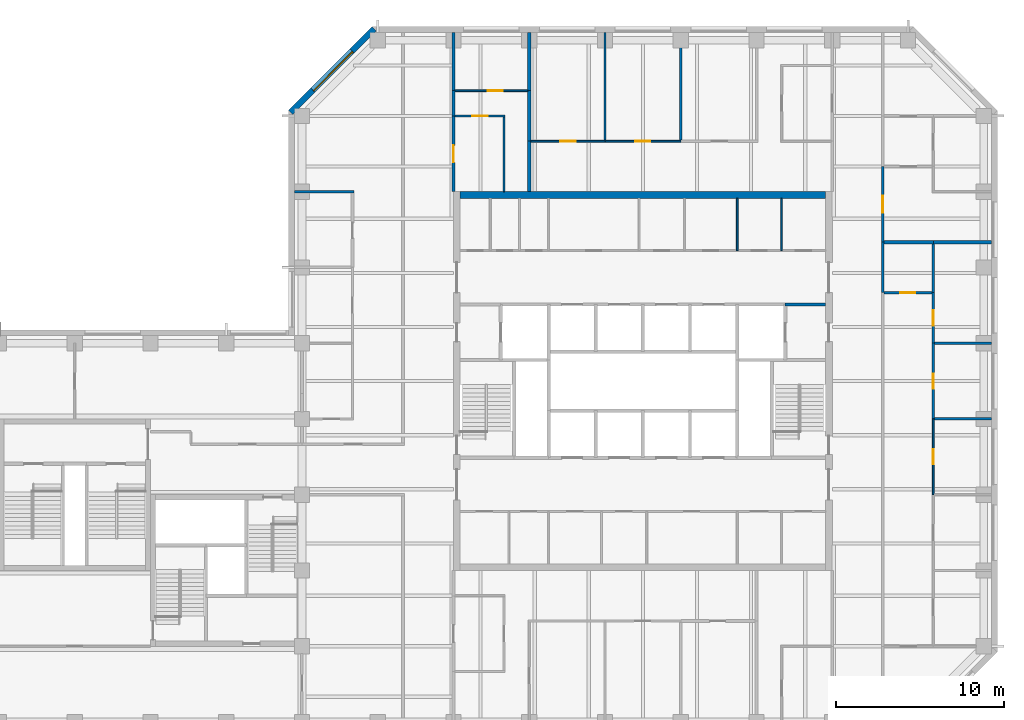
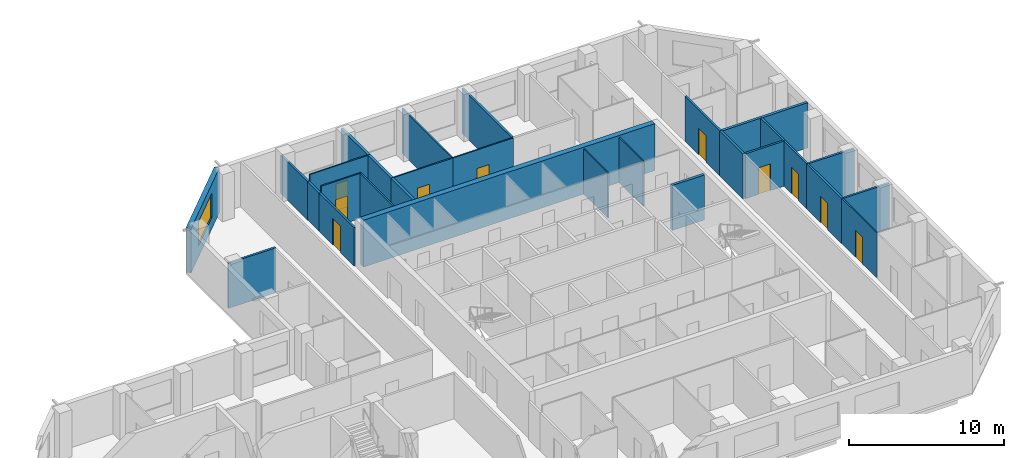
# One storey, part 7 of 10: 30 walls, 10 doors, 1 window, 11 openings.
"""IFC4 building model written with IfcOpenShell, lengths in metres."""

from ifc_helpers import new_model, si_unit, direction, frame, frame_2d, origin, place, context, subcontext, project, spatial, rectangle, extrude, material, layer, layer_set, constituent, constituent_set, type_object, element, fill, save


model = new_model("IFC4")

# Units and contexts
model_context = context("Model", 3, precision=1e-05, world=origin(), true_north=direction((0.0, 1.0)))
body_context = subcontext(model_context, "Body", "Model", "MODEL_VIEW")
ifc_project = project(units=[si_unit("LENGTHUNIT", "METRE"), si_unit("AREAUNIT", "SQUARE_METRE"), si_unit("VOLUMEUNIT", "CUBIC_METRE"), si_unit("PLANEANGLEUNIT", "RADIAN"), si_unit("MASSUNIT", "GRAM", prefix="KILO")], contexts=[model_context])

# Site, building, storey
site_placement = place(None, origin())
site = spatial("IfcSite", under=ifc_project, at=site_placement, CompositionType="ELEMENT")
building_placement = place(site_placement, origin())
building = spatial("IfcBuilding", under=site, at=building_placement, Name="Quoin Convention Tower", CompositionType="ELEMENT")
storey_placement = place(building_placement, frame((0.0, 0.0, 184.699951171875)))
storey = spatial("IfcBuildingStorey", under=building, at=storey_placement, Name="L48", CompositionType="ELEMENT", Elevation=184.699951171875)

# Walls
ifc_material_1 = material(Name="Plasterboard")
ifc_layer_1 = layer(ifc_material_1, 0.012451171875, Name="Finish")
ifc_material_2 = material(Name="Steel stud framing", Category="steel")
ifc_layer_2 = layer(ifc_material_2, 0.125, Name="Structure")
ifc_layer_3 = layer(ifc_material_1, 0.012451171875, Name="Finish")
ifc_layer_set_1 = layer_set([ifc_layer_1, ifc_layer_2, ifc_layer_3], Name="Steel stud framing")
wall_type_1 = type_object("IfcWallType", Name="Acoustic partition 150", PredefinedType="PARTITIONING", material=ifc_layer_set_1)
for number, where, z_axis, x_axis, name in (
    (1, (73.574951171875, 58.5, 0.0), (0.0, 0.0, 1.0), (1.0, 0.0, 0.0), "pw-L48-022"),
    (2, (73.574951171875, 63.0, 0.0), (0.0, 0.0, 1.0), (1.0, 0.0, 0.0), "pw-L48-027"),
):
    element("IfcWall", number, at=place(storey_placement, frame(where, z_axis=z_axis, x_axis=x_axis)), inside=storey, type_object=wall_type_1, Name=name, PredefinedType="PARTITIONING", context=body_context, shape_type="SweptSolid", body=[
        extrude(rectangle(XDim=3.375, YDim=0.14990234375, at=frame_2d((1.6875, 0.0))), origin(), (0.0, 0.0, 1.0), 3.550048828125),
    ])
wall_1_placement = place(storey_placement, frame((35.550048828125, 72.0, 0.0), z_axis=(0.0, 0.0, 1.0), x_axis=(1.0, 0.0, 0.0)))
element("IfcWall", 3, at=wall_1_placement, inside=storey, type_object=wall_type_1, Name="pw-L48-032", PredefinedType="PARTITIONING", context=body_context, shape_type="SweptSolid", body=[
    extrude(rectangle(XDim=3.52490234375, YDim=0.14990234375, at=frame_2d((1.762451171875, 0.0))), origin(), (0.0, 0.0, 1.0), 3.550048828125),
])

# Wall, opening, door
wall_2_placement = place(storey_placement, frame((73.5, 58.5, 0.0), z_axis=(0.0, 0.0, 1.0), x_axis=(0.0, 1.0, 0.0)))
wall_2 = element("IfcWall", 4, at=wall_2_placement, inside=storey, type_object=wall_type_1, Name="pw-L48-074", PredefinedType="PARTITIONING", context=body_context, shape_type="SweptSolid", body=[
    extrude(rectangle(XDim=4.5, YDim=0.14990234375, at=frame_2d((2.25, 0.0))), origin(), (0.0, 0.0, 1.0), 3.550048828125),
])
opening_1_placement = place(wall_2_placement, frame((1.800048828125, 0.0, 0.0)))
opening_1 = element("IfcOpeningElement", 5, at=opening_1_placement, cuts=wall_2, Name="Opening DOH6-25", PredefinedType="OPENING", context=body_context, shape_type="SweptSolid", body=[
    extrude(rectangle(XDim=0.89990234375, YDim=2.10009765625, at=frame_2d((0.449951171875, 1.050048828125))), frame((0.0, 0.0849609375, 0.0), z_axis=(0.0, -1.0, 0.0), x_axis=(1.0, 0.0, 0.0)), (0.0, 0.0, 1.0), 0.169921875),
])
ifc_material_3 = material(Name="Steel door leaf", Category="steel")
door_type_1 = type_object("IfcDoorType", Name="Office door 900 x 2100", OperationType="SINGLE_SWING_RIGHT", PredefinedType="DOOR", material=ifc_material_3)
door_1_placement = place(opening_1_placement, origin())
door_1 = element("IfcDoor", 6, at=door_1_placement, inside=storey, type_object=door_type_1, Name="dr-L48-37", OperationType="SINGLE_SWING_RIGHT", OverallHeight=2.10009765625, OverallWidth=0.89990234375, PredefinedType="DOOR", context=body_context, shape_type="SweptSolid", body=[
    extrude(rectangle(XDim=0.89990234375, YDim=2.10009765625, at=frame_2d((0.449951171875, 1.050048828125))), frame((0.0, 0.02490234375, 0.0), z_axis=(0.0, -1.0, 0.0), x_axis=(1.0, 0.0, 0.0)), (0.0, 0.0, 1.0), 0.050048828125),
])
fill(opening_1, door_1)

wall_3_placement = place(storey_placement, frame((73.5, 63.0, 0.0), z_axis=(0.0, 0.0, 1.0), x_axis=(0.0, 1.0, 0.0)))
wall_3 = element("IfcWall", 7, at=wall_3_placement, inside=storey, type_object=wall_type_1, Name="pw-L48-083", PredefinedType="PARTITIONING", context=body_context, shape_type="SweptSolid", body=[
    extrude(rectangle(XDim=3.0, YDim=0.14990234375, at=frame_2d((1.5, 0.0))), origin(), (0.0, 0.0, 1.0), 3.550048828125),
])
opening_2_placement = place(wall_3_placement, frame((1.050048828125, 0.0, 0.0)))
opening_2 = element("IfcOpeningElement", 8, at=opening_2_placement, cuts=wall_3, Name="Opening DOH6-27", PredefinedType="OPENING", context=body_context, shape_type="SweptSolid", body=[
    extrude(rectangle(XDim=0.89990234375, YDim=2.10009765625, at=frame_2d((0.449951171875, 1.050048828125))), frame((0.0, 0.0849609375, 0.0), z_axis=(0.0, -1.0, 0.0), x_axis=(1.0, 0.0, 0.0)), (0.0, 0.0, 1.0), 0.169921875),
])
door_2_placement = place(opening_2_placement, origin())
door_2 = element("IfcDoor", 9, at=door_2_placement, inside=storey, type_object=door_type_1, Name="dr-L48-38", OperationType="SINGLE_SWING_RIGHT", OverallHeight=2.10009765625, OverallWidth=0.89990234375, PredefinedType="DOOR", context=body_context, shape_type="SweptSolid", body=[
    extrude(rectangle(XDim=0.89990234375, YDim=2.10009765625, at=frame_2d((0.449951171875, 1.050048828125))), frame((0.0, 0.02490234375, 0.0), z_axis=(0.0, -1.0, 0.0), x_axis=(1.0, 0.0, 0.0)), (0.0, 0.0, 1.0), 0.050048828125),
])
fill(opening_2, door_2)

# Wall
wall_4_placement = place(storey_placement, frame((58.5, 75.074951171875, 0.0), z_axis=(0.0, 0.0, 1.0), x_axis=(0.0, 1.0, 0.0)))
element("IfcWall", 10, at=wall_4_placement, inside=storey, type_object=wall_type_1, Name="pw-L48-099", PredefinedType="PARTITIONING", context=body_context, shape_type="SweptSolid", body=[
    extrude(rectangle(XDim=6.375, YDim=0.14990234375, at=frame_2d((3.1875, 0.0))), origin(), (0.0, 0.0, 1.0), 3.550048828125),
])

# Wall, opening, window
ifc_material_4 = material(Name="Brick masonry", Category="masonry")
ifc_layer_4 = layer(ifc_material_4, 0.35009765625)
ifc_layer_set_2 = layer_set([ifc_layer_4], Name="Brick masonry")
wall_type_2 = type_object("IfcWallType", Name="Brick facade wall", PredefinedType="STANDARD", material=ifc_layer_set_2)
wall_5_placement = place(storey_placement, frame((40.29248046875, 81.67626953125, 0.0), z_axis=(0.0, 0.0, 1.0), x_axis=(-0.707106781187, -0.707106781187, 0.0)))
wall_5 = element("IfcWall", 11, at=wall_5_placement, inside=storey, type_object=wall_type_2, Name="fw-L48-40500_81000", PredefinedType="STANDARD", context=body_context, shape_type="SweptSolid", body=[
    extrude(rectangle(XDim=7.02685546875, YDim=0.35009765625, at=frame_2d((3.513427734375, 0.0))), origin(), (0.0, 0.0, 1.0), 3.525146484375),
])
opening_3_placement = place(wall_5_placement, frame((1.86328125, 0.0, 0.89990234375)))
opening_3 = element("IfcOpeningElement", 12, at=opening_3_placement, cuts=wall_5, Name="Opening W-02", PredefinedType="OPENING", context=body_context, shape_type="SweptSolid", body=[
    extrude(rectangle(XDim=3.300048828125, YDim=1.89990234375, at=frame_2d((1.64990234375, 0.949951171875))), frame((0.0, 0.18505859375, 0.0), z_axis=(0.0, -1.0, 0.0), x_axis=(1.0, 0.0, 0.0)), (0.0, 0.0, 1.0), 0.3701171875),
])
ifc_material_5 = material(Name="Aluminium", Category="aluminium")
ifc_constituent_1 = constituent(ifc_material_5, Name="Frame")
ifc_material_6 = material(Name="Insulated glass", Category="glass")
ifc_constituent_2 = constituent(ifc_material_6, Name="Glazing")
ifc_constituent_set = constituent_set(constituents=[ifc_constituent_1, ifc_constituent_2], Name="Aluminium")
window_type = type_object("IfcWindowType", Name="Office window", PartitioningType="DOUBLE_PANEL_VERTICAL", PredefinedType="WINDOW", material=ifc_constituent_set)
window_placement = place(opening_3_placement, origin())
window = element("IfcWindow", 13, at=window_placement, inside=storey, type_object=window_type, Name="win-L48-37808_79192", OverallHeight=1.89990234375, OverallWidth=3.300048828125, PartitioningType="SINGLE_PANEL", PredefinedType="WINDOW", context=body_context, shape_type="SweptSolid", body=[
    extrude(rectangle(XDim=3.300048828125, YDim=1.89990234375, at=frame_2d((1.64990234375, 0.949951171875))), frame((0.0, 0.0849609375, 0.0), z_axis=(0.0, -1.0, 0.0), x_axis=(1.0, 0.0, 0.0)), (0.0, 0.0, 1.0), 0.06005859375),
])
fill(opening_3, window)

# Walls
ifc_layer_5 = layer(ifc_material_1, 0.012451171875, Name="Finish")
ifc_layer_6 = layer(ifc_material_2, 0.074951171875, Name="Structure")
ifc_layer_7 = layer(ifc_material_1, 0.012451171875, Name="Finish")
ifc_layer_set_3 = layer_set([ifc_layer_5, ifc_layer_6, ifc_layer_7], Name="Steel stud framing")
wall_type_3 = type_object("IfcWallType", Name="Core partition wall", PredefinedType="PARTITIONING", material=ifc_layer_set_3)
for number, where, z_axis, x_axis, name in (
    (14, (61.85009765625, 68.5, 0.0), (0.0, 0.0, 1.0), (0.0, 1.0, 0.0), "cr-C1-L48-v16850_19000"),
    (15, (64.47509765625, 68.5, 0.0), (0.0, 0.0, 1.0), (0.0, 1.0, 0.0), "cr-C1-L48-v19475_19000"),
):
    element("IfcWall", number, at=place(storey_placement, frame(where, z_axis=z_axis, x_axis=x_axis)), inside=storey, type_object=wall_type_3, Name=name, PredefinedType="PARTITIONING", context=body_context, shape_type="SweptSolid", body=[
        extrude(rectangle(XDim=3.10009765625, YDim=0.10009765625, at=frame_2d((1.550048828125, 0.0))), origin(), (0.0, 0.0, 1.0), 3.550048828125),
    ])
ifc_material_7 = material(Name="Concrete C50", Category="concrete")
ifc_layer_8 = layer(ifc_material_7, 0.199951171875)
ifc_layer_set_4 = layer_set([ifc_layer_8], Name="Concrete C50")
wall_type_4 = type_object("IfcWallType", Name="Core shaft wall", PredefinedType="SOLIDWALL", material=ifc_layer_set_4)
wall_6_placement = place(storey_placement, frame((64.699951171875, 65.300048828125, 0.0), z_axis=(0.0, 0.0, 1.0), x_axis=(1.0, 0.0, 0.0)))
element("IfcWall", 16, at=wall_6_placement, inside=storey, type_object=wall_type_4, Name="cr-C1-L48-h15800_19700", PredefinedType="SOLIDWALL", context=body_context, shape_type="SweptSolid", body=[
    extrude(rectangle(XDim=2.400146484375, YDim=0.199951171875, at=frame_2d((1.2001953125, 0.0))), origin(), (0.0, 0.0, 1.0), 3.550048828125),
])
ifc_layer_9 = layer(ifc_material_1, 0.012451171875, Name="Finish")
ifc_layer_10 = layer(ifc_material_2, 0.125, Name="Structure")
ifc_layer_11 = layer(ifc_material_1, 0.012451171875, Name="Finish")
ifc_layer_set_5 = layer_set([ifc_layer_9, ifc_layer_10, ifc_layer_11], Name="Steel stud framing")
wall_type_5 = type_object("IfcWallType", Name="Corridor wall 150", PredefinedType="PARTITIONING", material=ifc_layer_set_5)
wall_7_placement = place(storey_placement, frame((70.5, 66.0, 0.0), z_axis=(0.0, 0.0, 1.0), x_axis=(0.0, 1.0, 0.0)))
element("IfcWall", 17, at=wall_7_placement, inside=storey, type_object=wall_type_5, Name="pw-L48-084", PredefinedType="PARTITIONING", context=body_context, shape_type="SweptSolid", body=[
    extrude(rectangle(XDim=3.0, YDim=0.14990234375, at=frame_2d((1.5, 0.0))), origin(), (0.0, 0.0, 1.0), 3.550048828125),
])

# Wall, opening, door
wall_8_placement = place(storey_placement, frame((70.5, 69.0, 0.0), z_axis=(0.0, 0.0, 1.0), x_axis=(0.0, 1.0, 0.0)))
wall_8 = element("IfcWall", 18, at=wall_8_placement, inside=storey, type_object=wall_type_5, Name="pw-L48-087", PredefinedType="PARTITIONING", context=body_context, shape_type="SweptSolid", body=[
    extrude(rectangle(XDim=4.5, YDim=0.14990234375, at=frame_2d((2.25, 0.0))), origin(), (0.0, 0.0, 1.0), 3.550048828125),
])
opening_4_placement = place(wall_8_placement, frame((1.75, 0.0, 0.0)))
opening_4 = element("IfcOpeningElement", 19, at=opening_4_placement, cuts=wall_8, Name="Opening DOH6-29", PredefinedType="OPENING", context=body_context, shape_type="SweptSolid", body=[
    extrude(rectangle(XDim=1.0, YDim=2.10009765625, at=frame_2d((0.5, 1.050048828125))), frame((0.0, 0.0849609375, 0.0), z_axis=(0.0, -1.0, 0.0), x_axis=(1.0, 0.0, 0.0)), (0.0, 0.0, 1.0), 0.169921875),
])
door_type_2 = type_object("IfcDoorType", Name="Tenancy entrance door 1000 x 2100", OperationType="DOUBLE_DOOR_SINGLE_SWING", PredefinedType="DOOR", material=ifc_material_3)
door_3_placement = place(opening_4_placement, frame((1.0, 0.0, 0.0), z_axis=(0.0, 0.0, 1.0), x_axis=(-1.0, 0.0, 0.0)))
door_3 = element("IfcDoor", 20, at=door_3_placement, inside=storey, type_object=door_type_2, Name="dr-L48-39", OperationType="DOUBLE_DOOR_SINGLE_SWING", OverallHeight=2.10009765625, OverallWidth=1.0, PredefinedType="DOOR", context=body_context, shape_type="SweptSolid", body=[
    extrude(rectangle(XDim=1.0, YDim=2.10009765625, at=frame_2d((0.5, 1.050048828125))), frame((0.0, 0.02490234375, 0.0), z_axis=(0.0, -1.0, 0.0), x_axis=(1.0, 0.0, 0.0)), (0.0, 0.0, 1.0), 0.050048828125),
])
fill(opening_4, door_3)

ifc_layer_12 = layer(ifc_material_1, 0.012451171875, Name="Finish")
ifc_layer_13 = layer(ifc_material_2, 0.125, Name="Structure")
ifc_layer_14 = layer(ifc_material_1, 0.012451171875, Name="Finish")
ifc_layer_set_6 = layer_set([ifc_layer_12, ifc_layer_13, ifc_layer_14], Name="Steel stud framing")
wall_type_6 = type_object("IfcWallType", Name="Corridor wall 150 under beam 528", PredefinedType="PARTITIONING", material=ifc_layer_set_6)
wall_9_placement = place(storey_placement, frame((45.0, 72.0, 0.0), z_axis=(0.0, 0.0, 1.0), x_axis=(0.0, 1.0, 0.0)))
wall_9 = element("IfcWall", 21, at=wall_9_placement, inside=storey, type_object=wall_type_6, Name="pw-L48-088", PredefinedType="PARTITIONING", context=body_context, shape_type="SweptSolid", body=[
    extrude(rectangle(XDim=4.5, YDim=0.14990234375, at=frame_2d((2.25, 0.0))), origin(), (0.0, 0.0, 1.0), 3.02197265625),
])
opening_5_placement = place(wall_9_placement, frame((1.75, 0.0, 0.0)))
opening_5 = element("IfcOpeningElement", 22, at=opening_5_placement, cuts=wall_9, Name="Opening DOH6-30", PredefinedType="OPENING", context=body_context, shape_type="SweptSolid", body=[
    extrude(rectangle(XDim=1.0, YDim=2.10009765625, at=frame_2d((0.5, 1.050048828125))), frame((0.0, 0.0849609375, 0.0), z_axis=(0.0, -1.0, 0.0), x_axis=(1.0, 0.0, 0.0)), (0.0, 0.0, 1.0), 0.169921875),
])
door_4_placement = place(opening_5_placement, frame((1.0, 0.0, 0.0), z_axis=(0.0, 0.0, 1.0), x_axis=(-1.0, 0.0, 0.0)))
door_4 = element("IfcDoor", 23, at=door_4_placement, inside=storey, type_object=door_type_2, Name="dr-L48-23", OperationType="DOUBLE_DOOR_SINGLE_SWING", OverallHeight=2.10009765625, OverallWidth=1.0, PredefinedType="DOOR", context=body_context, shape_type="SweptSolid", body=[
    extrude(rectangle(XDim=1.0, YDim=2.10009765625, at=frame_2d((0.5, 1.050048828125))), frame((0.0, 0.02490234375, 0.0), z_axis=(0.0, -1.0, 0.0), x_axis=(1.0, 0.0, 0.0)), (0.0, 0.0, 1.0), 0.050048828125),
])
fill(opening_5, door_4)

# Walls
wall_10_placement = place(storey_placement, frame((45.0, 76.5, 0.0), z_axis=(0.0, 0.0, 1.0), x_axis=(0.0, 1.0, 0.0)))
element("IfcWall", 24, at=wall_10_placement, inside=storey, type_object=wall_type_6, Name="pw-L48-101", PredefinedType="PARTITIONING", context=body_context, shape_type="SweptSolid", body=[
    extrude(rectangle(XDim=1.5, YDim=0.14990234375, at=frame_2d((0.75, 0.0))), origin(), (0.0, 0.0, 1.0), 3.02197265625),
])
wall_11_placement = place(storey_placement, frame((45.0, 78.0, 0.0), z_axis=(0.0, 0.0, 1.0), x_axis=(0.0, 1.0, 0.0)))
element("IfcWall", 25, at=wall_11_placement, inside=storey, type_object=wall_type_6, Name="pw-L48-103", PredefinedType="PARTITIONING", context=body_context, shape_type="SweptSolid", body=[
    extrude(rectangle(XDim=3.449951171875, YDim=0.14990234375, at=frame_2d((1.72509765625, 0.0))), origin(), (0.0, 0.0, 1.0), 3.02197265625),
])
ifc_layer_15 = layer(ifc_material_7, 0.39990234375)
ifc_layer_set_7 = layer_set([ifc_layer_15], Name="Concrete C50")
wall_type_7 = type_object("IfcWallType", Name="RC CORE WALL 400 C50", PredefinedType="SHEAR", material=ifc_layer_set_7)
wall_12_placement = place(storey_placement, frame((45.39990234375, 71.800048828125, 0.0), z_axis=(0.0, 0.0, 1.0), x_axis=(1.0, 0.0, 0.0)))
element("IfcWall", 26, at=wall_12_placement, inside=storey, type_object=wall_type_7, Name="cwl-C1-L48-N", PredefinedType="SHEAR", context=body_context, shape_type="SweptSolid", body=[
    extrude(rectangle(XDim=21.7001953125, YDim=0.39990234375, at=frame_2d((10.85009765625, 0.0))), origin(), (0.0, 0.0, 1.0), 3.699951171875),
])

# Wall, opening, door
ifc_layer_16 = layer(ifc_material_1, 0.012451171875, Name="Finish")
ifc_layer_17 = layer(ifc_material_2, 0.074951171875, Name="Structure")
ifc_layer_18 = layer(ifc_material_1, 0.012451171875, Name="Finish")
ifc_layer_set_8 = layer_set([ifc_layer_16, ifc_layer_17, ifc_layer_18], Name="Steel stud framing")
wall_type_8 = type_object("IfcWallType", Name="Stud partition 100", PredefinedType="PARTITIONING", material=ifc_layer_set_8)
wall_13_placement = place(storey_placement, frame((49.60009765625, 75.0, 0.0), z_axis=(0.0, 0.0, 1.0), x_axis=(1.0, 0.0, 0.0)))
wall_13 = element("IfcWall", 27, at=wall_13_placement, inside=storey, type_object=wall_type_8, Name="pw-L48-035", PredefinedType="PARTITIONING", context=body_context, shape_type="SweptSolid", body=[
    extrude(rectangle(XDim=4.39990234375, YDim=0.10009765625, at=frame_2d((2.199951171875, 0.0))), origin(), (0.0, 0.0, 1.0), 3.550048828125),
])
opening_6_placement = place(wall_13_placement, frame((1.75, 0.0, 0.0)))
opening_6 = element("IfcOpeningElement", 28, at=opening_6_placement, cuts=wall_13, Name="Opening DOH6-09", PredefinedType="OPENING", context=body_context, shape_type="SweptSolid", body=[
    extrude(rectangle(XDim=0.89990234375, YDim=2.10009765625, at=frame_2d((0.449951171875, 1.050048828125))), frame((0.0, 0.06005859375, 0.0), z_axis=(0.0, -1.0, 0.0), x_axis=(1.0, 0.0, 0.0)), (0.0, 0.0, 1.0), 0.1201171875),
])
door_5_placement = place(opening_6_placement, frame((0.89990234375, 0.0, 0.0), z_axis=(0.0, 0.0, 1.0), x_axis=(-1.0, 0.0, 0.0)))
door_5 = element("IfcDoor", 29, at=door_5_placement, inside=storey, type_object=door_type_1, Name="dr-L48-28", OperationType="SINGLE_SWING_LEFT", OverallHeight=2.10009765625, OverallWidth=0.89990234375, PredefinedType="DOOR", context=body_context, shape_type="SweptSolid", body=[
    extrude(rectangle(XDim=0.89990234375, YDim=2.10009765625, at=frame_2d((0.449951171875, 1.050048828125))), frame((0.0, 0.02490234375, 0.0), z_axis=(0.0, -1.0, 0.0), x_axis=(1.0, 0.0, 0.0)), (0.0, 0.0, 1.0), 0.050048828125),
])
fill(opening_6, door_5)

wall_14_placement = place(storey_placement, frame((54.0, 75.0, 0.0), z_axis=(0.0, 0.0, 1.0), x_axis=(1.0, 0.0, 0.0)))
wall_14 = element("IfcWall", 30, at=wall_14_placement, inside=storey, type_object=wall_type_8, Name="pw-L48-036", PredefinedType="PARTITIONING", context=body_context, shape_type="SweptSolid", body=[
    extrude(rectangle(XDim=4.5, YDim=0.10009765625, at=frame_2d((2.25, 0.0))), origin(), (0.0, 0.0, 1.0), 3.550048828125),
])
opening_7_placement = place(wall_14_placement, frame((1.800048828125, 0.0, 0.0)))
opening_7 = element("IfcOpeningElement", 31, at=opening_7_placement, cuts=wall_14, Name="Opening DOH6-10", PredefinedType="OPENING", context=body_context, shape_type="SweptSolid", body=[
    extrude(rectangle(XDim=0.89990234375, YDim=2.10009765625, at=frame_2d((0.449951171875, 1.050048828125))), frame((0.0, 0.06005859375, 0.0), z_axis=(0.0, -1.0, 0.0), x_axis=(1.0, 0.0, 0.0)), (0.0, 0.0, 1.0), 0.1201171875),
])
door_6_placement = place(opening_7_placement, frame((0.89990234375, 0.0, 0.0), z_axis=(0.0, 0.0, 1.0), x_axis=(-1.0, 0.0, 0.0)))
door_6 = element("IfcDoor", 32, at=door_6_placement, inside=storey, type_object=door_type_1, Name="dr-L48-29", OperationType="SINGLE_SWING_LEFT", OverallHeight=2.10009765625, OverallWidth=0.89990234375, PredefinedType="DOOR", context=body_context, shape_type="SweptSolid", body=[
    extrude(rectangle(XDim=0.89990234375, YDim=2.10009765625, at=frame_2d((0.449951171875, 1.050048828125))), frame((0.0, 0.02490234375, 0.0), z_axis=(0.0, -1.0, 0.0), x_axis=(1.0, 0.0, 0.0)), (0.0, 0.0, 1.0), 0.050048828125),
])
fill(opening_7, door_6)

wall_15_placement = place(storey_placement, frame((45.074951171875, 76.5, 0.0), z_axis=(0.0, 0.0, 1.0), x_axis=(1.0, 0.0, 0.0)))
wall_15 = element("IfcWall", 33, at=wall_15_placement, inside=storey, type_object=wall_type_8, Name="pw-L48-039", PredefinedType="PARTITIONING", context=body_context, shape_type="SweptSolid", body=[
    extrude(rectangle(XDim=2.97509765625, YDim=0.10009765625, at=frame_2d((1.487548828125, 0.0))), origin(), (0.0, 0.0, 1.0), 3.550048828125),
])
opening_8_placement = place(wall_15_placement, frame((1.050048828125, 0.0, 0.0)))
opening_8 = element("IfcOpeningElement", 34, at=opening_8_placement, cuts=wall_15, Name="Opening DOH6-12", PredefinedType="OPENING", context=body_context, shape_type="SweptSolid", body=[
    extrude(rectangle(XDim=0.89990234375, YDim=2.10009765625, at=frame_2d((0.449951171875, 1.050048828125))), frame((0.0, 0.06005859375, 0.0), z_axis=(0.0, -1.0, 0.0), x_axis=(1.0, 0.0, 0.0)), (0.0, 0.0, 1.0), 0.1201171875),
])
door_7_placement = place(opening_8_placement, frame((0.89990234375, 0.0, 0.0), z_axis=(0.0, 0.0, 1.0), x_axis=(-1.0, 0.0, 0.0)))
door_7 = element("IfcDoor", 35, at=door_7_placement, inside=storey, type_object=door_type_1, Name="dr-L48-24", OperationType="SINGLE_SWING_LEFT", OverallHeight=2.10009765625, OverallWidth=0.89990234375, PredefinedType="DOOR", context=body_context, shape_type="SweptSolid", body=[
    extrude(rectangle(XDim=0.89990234375, YDim=2.10009765625, at=frame_2d((0.449951171875, 1.050048828125))), frame((0.0, 0.02490234375, 0.0), z_axis=(0.0, -1.0, 0.0), x_axis=(1.0, 0.0, 0.0)), (0.0, 0.0, 1.0), 0.050048828125),
])
fill(opening_8, door_7)

wall_16_placement = place(storey_placement, frame((45.074951171875, 78.0, 0.0), z_axis=(0.0, 0.0, 1.0), x_axis=(1.0, 0.0, 0.0)))
wall_16 = element("IfcWall", 36, at=wall_16_placement, inside=storey, type_object=wall_type_8, Name="pw-L48-042", PredefinedType="PARTITIONING", context=body_context, shape_type="SweptSolid", body=[
    extrude(rectangle(XDim=4.324951171875, YDim=0.10009765625, at=frame_2d((2.16259765625, 0.0))), origin(), (0.0, 0.0, 1.0), 3.550048828125),
])
opening_9_placement = place(wall_16_placement, frame((1.949951171875, 0.0, 0.0)))
opening_9 = element("IfcOpeningElement", 37, at=opening_9_placement, cuts=wall_16, Name="Opening DOH6-14", PredefinedType="OPENING", context=body_context, shape_type="SweptSolid", body=[
    extrude(rectangle(XDim=0.89990234375, YDim=2.10009765625, at=frame_2d((0.449951171875, 1.050048828125))), frame((0.0, 0.06005859375, 0.0), z_axis=(0.0, -1.0, 0.0), x_axis=(1.0, 0.0, 0.0)), (0.0, 0.0, 1.0), 0.1201171875),
])
door_8_placement = place(opening_9_placement, origin())
door_8 = element("IfcDoor", 38, at=door_8_placement, inside=storey, type_object=door_type_1, Name="dr-L48-25", OperationType="SINGLE_SWING_RIGHT", OverallHeight=2.10009765625, OverallWidth=0.89990234375, PredefinedType="DOOR", context=body_context, shape_type="SweptSolid", body=[
    extrude(rectangle(XDim=0.89990234375, YDim=2.10009765625, at=frame_2d((0.449951171875, 1.050048828125))), frame((0.0, 0.02490234375, 0.0), z_axis=(0.0, -1.0, 0.0), x_axis=(1.0, 0.0, 0.0)), (0.0, 0.0, 1.0), 0.050048828125),
])
fill(opening_9, door_8)

wall_17_placement = place(storey_placement, frame((73.5, 54.0, 0.0), z_axis=(0.0, 0.0, 1.0), x_axis=(0.0, 1.0, 0.0)))
wall_17 = element("IfcWall", 39, at=wall_17_placement, inside=storey, type_object=wall_type_8, Name="pw-L48-070", PredefinedType="PARTITIONING", context=body_context, shape_type="SweptSolid", body=[
    extrude(rectangle(XDim=4.5, YDim=0.10009765625, at=frame_2d((2.25, 0.0))), origin(), (0.0, 0.0, 1.0), 3.550048828125),
])
opening_10_placement = place(wall_17_placement, frame((1.800048828125, 0.0, 0.0)))
opening_10 = element("IfcOpeningElement", 40, at=opening_10_placement, cuts=wall_17, Name="Opening DOH6-24", PredefinedType="OPENING", context=body_context, shape_type="SweptSolid", body=[
    extrude(rectangle(XDim=0.89990234375, YDim=2.10009765625, at=frame_2d((0.449951171875, 1.050048828125))), frame((0.0, 0.06005859375, 0.0), z_axis=(0.0, -1.0, 0.0), x_axis=(1.0, 0.0, 0.0)), (0.0, 0.0, 1.0), 0.1201171875),
])
door_9_placement = place(opening_10_placement, origin())
door_9 = element("IfcDoor", 41, at=door_9_placement, inside=storey, type_object=door_type_1, Name="dr-L48-35", OperationType="SINGLE_SWING_RIGHT", OverallHeight=2.10009765625, OverallWidth=0.89990234375, PredefinedType="DOOR", context=body_context, shape_type="SweptSolid", body=[
    extrude(rectangle(XDim=0.89990234375, YDim=2.10009765625, at=frame_2d((0.449951171875, 1.050048828125))), frame((0.0, 0.02490234375, 0.0), z_axis=(0.0, -1.0, 0.0), x_axis=(1.0, 0.0, 0.0)), (0.0, 0.0, 1.0), 0.050048828125),
])
fill(opening_10, door_9)

# Walls
wall_18_placement = place(storey_placement, frame((48.0, 72.0, 0.0), z_axis=(0.0, 0.0, 1.0), x_axis=(0.0, 1.0, 0.0)))
element("IfcWall", 42, at=wall_18_placement, inside=storey, type_object=wall_type_8, Name="pw-L48-089", PredefinedType="PARTITIONING", context=body_context, shape_type="SweptSolid", body=[
    extrude(rectangle(XDim=4.449951171875, YDim=0.10009765625, at=frame_2d((2.22509765625, 0.0))), origin(), (0.0, 0.0, 1.0), 3.550048828125),
])
wall_19_placement = place(storey_placement, frame((54.0, 75.050048828125, 0.0), z_axis=(0.0, 0.0, 1.0), x_axis=(0.0, 1.0, 0.0)))
element("IfcWall", 43, at=wall_19_placement, inside=storey, type_object=wall_type_8, Name="pw-L48-097", PredefinedType="PARTITIONING", context=body_context, shape_type="SweptSolid", body=[
    extrude(rectangle(XDim=6.39990234375, YDim=0.10009765625, at=frame_2d((3.199951171875, 0.0))), origin(), (0.0, 0.0, 1.0), 3.550048828125),
])
ifc_layer_19 = layer(ifc_material_1, 0.012451171875, Name="Finish")
ifc_layer_20 = layer(ifc_material_2, 0.175048828125, Name="Structure")
ifc_layer_21 = layer(ifc_material_1, 0.012451171875, Name="Finish")
ifc_layer_set_9 = layer_set([ifc_layer_19, ifc_layer_20, ifc_layer_21], Name="Steel stud framing")
wall_type_9 = type_object("IfcWallType", Name="Tenancy demising wall 200", PredefinedType="PARTITIONING", material=ifc_layer_set_9)
wall_20_placement = place(storey_placement, frame((70.574951171875, 69.0, 0.0), z_axis=(0.0, 0.0, 1.0), x_axis=(1.0, 0.0, 0.0)))
element("IfcWall", 44, at=wall_20_placement, inside=storey, type_object=wall_type_9, Name="pw-L48-030", PredefinedType="PARTITIONING", context=body_context, shape_type="SweptSolid", body=[
    extrude(rectangle(XDim=2.925048828125, YDim=0.199951171875, at=frame_2d((1.46240234375, 0.0))), origin(), (0.0, 0.0, 1.0), 3.550048828125),
])
wall_21_placement = place(storey_placement, frame((73.5, 69.0, 0.0), z_axis=(0.0, 0.0, 1.0), x_axis=(1.0, 0.0, 0.0)))
element("IfcWall", 45, at=wall_21_placement, inside=storey, type_object=wall_type_9, Name="pw-L48-031", PredefinedType="PARTITIONING", context=body_context, shape_type="SweptSolid", body=[
    extrude(rectangle(XDim=3.449951171875, YDim=0.199951171875, at=frame_2d((1.72509765625, 0.0))), origin(), (0.0, 0.0, 1.0), 3.550048828125),
])
for number, where, z_axis, x_axis, name in (
    (46, (49.5, 72.0, 0.0), (0.0, 0.0, 1.0), (0.0, 1.0, 0.0), "pw-L48-090"),
    (47, (49.5, 75.0, 0.0), (0.0, 0.0, 1.0), (0.0, 1.0, 0.0), "pw-L48-095"),
):
    element("IfcWall", number, at=place(storey_placement, frame(where, z_axis=z_axis, x_axis=x_axis)), inside=storey, type_object=wall_type_9, Name=name, PredefinedType="PARTITIONING", context=body_context, shape_type="SweptSolid", body=[
        extrude(rectangle(XDim=3.0, YDim=0.199951171875, at=frame_2d((1.5, 0.0))), origin(), (0.0, 0.0, 1.0), 3.550048828125),
    ])
wall_22_placement = place(storey_placement, frame((49.5, 78.0, 0.0), z_axis=(0.0, 0.0, 1.0), x_axis=(0.0, 1.0, 0.0)))
element("IfcWall", 48, at=wall_22_placement, inside=storey, type_object=wall_type_9, Name="pw-L48-104", PredefinedType="PARTITIONING", context=body_context, shape_type="SweptSolid", body=[
    extrude(rectangle(XDim=3.449951171875, YDim=0.199951171875, at=frame_2d((1.72509765625, 0.0))), origin(), (0.0, 0.0, 1.0), 3.550048828125),
])

# Wall, opening, door
ifc_layer_22 = layer(ifc_material_1, 0.012451171875, Name="Finish")
ifc_layer_23 = layer(ifc_material_2, 0.125, Name="Structure")
ifc_layer_24 = layer(ifc_material_1, 0.012451171875, Name="Finish")
ifc_layer_set_10 = layer_set([ifc_layer_22, ifc_layer_23, ifc_layer_24], Name="Steel stud framing")
wall_type_10 = type_object("IfcWallType", Name="Wet area partition 150", PredefinedType="PARTITIONING", material=ifc_layer_set_10)
wall_23_placement = place(storey_placement, frame((70.574951171875, 66.0, 0.0), z_axis=(0.0, 0.0, 1.0), x_axis=(1.0, 0.0, 0.0)))
wall_23 = element("IfcWall", 49, at=wall_23_placement, inside=storey, type_object=wall_type_10, Name="pw-L48-028", PredefinedType="PARTITIONING", context=body_context, shape_type="SweptSolid", body=[
    extrude(rectangle(XDim=2.85009765625, YDim=0.14990234375, at=frame_2d((1.425048828125, 0.0))), origin(), (0.0, 0.0, 1.0), 3.550048828125),
])
opening_11_placement = place(wall_23_placement, frame((0.949951171875, 0.0, 0.0)))
opening_11 = element("IfcOpeningElement", 50, at=opening_11_placement, cuts=wall_23, Name="Opening DOH6-07", PredefinedType="OPENING", context=body_context, shape_type="SweptSolid", body=[
    extrude(rectangle(XDim=0.89990234375, YDim=2.10009765625, at=frame_2d((0.449951171875, 1.050048828125))), frame((0.0, 0.0849609375, 0.0), z_axis=(0.0, -1.0, 0.0), x_axis=(1.0, 0.0, 0.0)), (0.0, 0.0, 1.0), 0.169921875),
])
door_10_placement = place(opening_11_placement, frame((0.89990234375, 0.0, 0.0), z_axis=(0.0, 0.0, 1.0), x_axis=(-1.0, 0.0, 0.0)))
door_10 = element("IfcDoor", 51, at=door_10_placement, inside=storey, type_object=door_type_1, Name="dr-L48-36", OperationType="SINGLE_SWING_LEFT", OverallHeight=2.10009765625, OverallWidth=0.89990234375, PredefinedType="DOOR", context=body_context, shape_type="SweptSolid", body=[
    extrude(rectangle(XDim=0.89990234375, YDim=2.10009765625, at=frame_2d((0.449951171875, 1.050048828125))), frame((0.0, 0.02490234375, 0.0), z_axis=(0.0, -1.0, 0.0), x_axis=(1.0, 0.0, 0.0)), (0.0, 0.0, 1.0), 0.050048828125),
])
fill(opening_11, door_10)

# Wall
wall_24_placement = place(storey_placement, frame((73.5, 66.0, 0.0), z_axis=(0.0, 0.0, 1.0), x_axis=(0.0, 1.0, 0.0)))
element("IfcWall", 52, at=wall_24_placement, inside=storey, type_object=wall_type_10, Name="pw-L48-085", PredefinedType="PARTITIONING", context=body_context, shape_type="SweptSolid", body=[
    extrude(rectangle(XDim=2.89990234375, YDim=0.14990234375, at=frame_2d((1.449951171875, 0.0))), origin(), (0.0, 0.0, 1.0), 3.550048828125),
])

save(model, "model.ifc")
